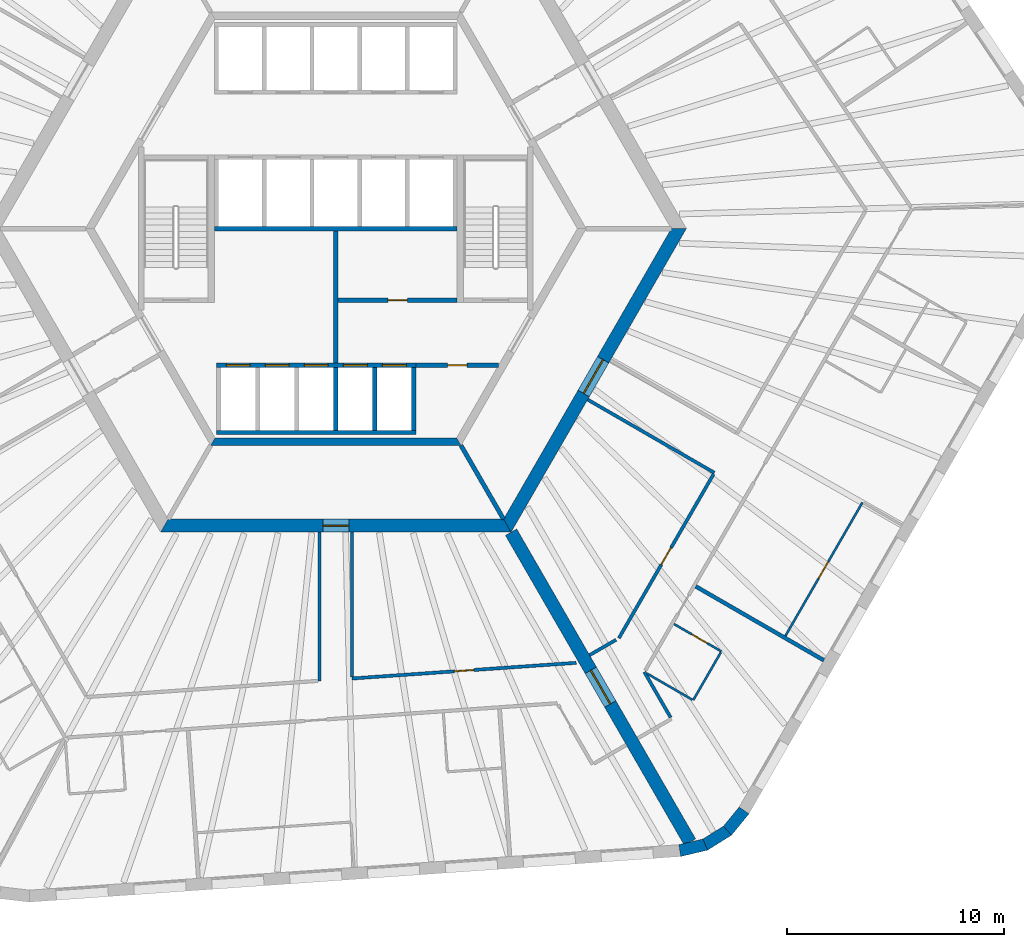
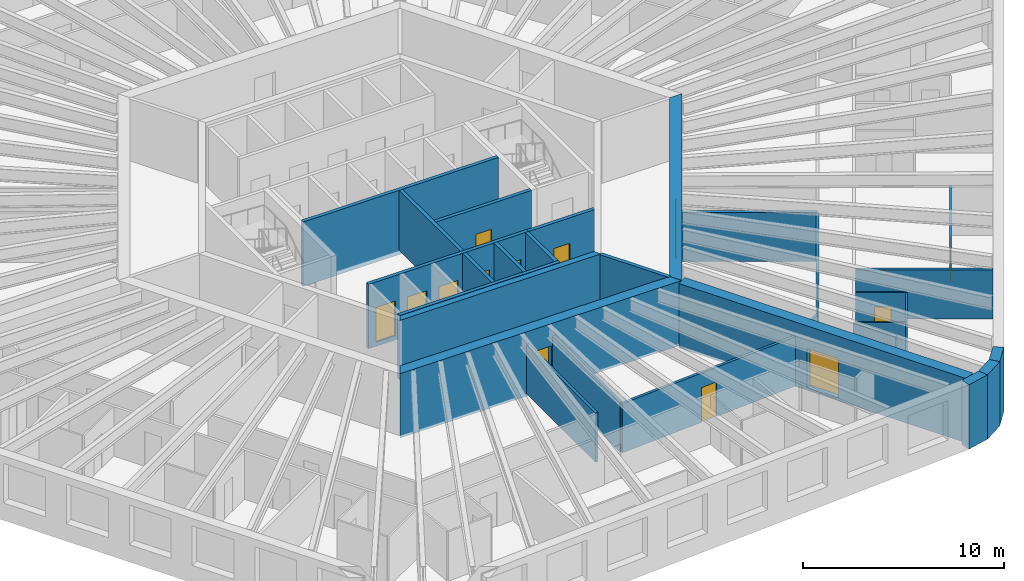
# One storey, part 5 of 12: 29 walls, 14 doors, 14 openings.
"""IFC4 building model written with IfcOpenShell, lengths in metres."""

from ifc_helpers import new_model, si_unit, direction, frame, frame_2d, origin, place, context, subcontext, project, spatial, polyline, rectangle, outline, extrude, material, layer, layer_set, type_object, element, fill, save


model = new_model("IFC4")

# Units and contexts
model_context = context("Model", 3, precision=1e-05, world=origin(), true_north=direction((0.0, 1.0)))
body_context = subcontext(model_context, "Body", "Model", "MODEL_VIEW")
ifc_project = project(units=[si_unit("LENGTHUNIT", "METRE"), si_unit("AREAUNIT", "SQUARE_METRE"), si_unit("VOLUMEUNIT", "CUBIC_METRE"), si_unit("PLANEANGLEUNIT", "RADIAN"), si_unit("MASSUNIT", "GRAM", prefix="KILO")], contexts=[model_context])

# Site, building, storey
site_placement = place(None, origin())
site = spatial("IfcSite", under=ifc_project, at=site_placement, CompositionType="ELEMENT")
building_placement = place(site_placement, origin())
building = spatial("IfcBuilding", under=site, at=building_placement, Name="Tarnside Tower", CompositionType="ELEMENT")
storey_placement = place(building_placement, frame((0.0, 0.0, 57.0)))
storey = spatial("IfcBuildingStorey", under=building, at=storey_placement, Name="L11", CompositionType="ELEMENT", Elevation=57.0)

# Wall, opening, door
ifc_material_1 = material(Name="Gypsum board partition on steel studs", Category="steel")
ifc_layer_1 = layer(ifc_material_1, 0.10009765625)
ifc_layer_set_1 = layer_set([ifc_layer_1], Name="Bathroom wall 100")
wall_type_1 = type_object("IfcWallType", Name="Bathroom wall 100", PredefinedType="PARTITIONING", material=ifc_layer_set_1)
wall_1_placement = place(storey_placement, frame((15.5966796875, -18.23583984375, 0.0), z_axis=(0.0, 0.0, 1.0), x_axis=(0.866039067339, -0.499976333282, 0.0)))
wall_1 = element("IfcWall", 1, at=wall_1_placement, inside=storey, type_object=wall_type_1, Name="Bathroom wall 02128", PredefinedType="PARTITIONING", context=body_context, shape_type="SweptSolid", body=[
    extrude(rectangle(XDim=2.52490234375, YDim=0.10009765625, at=frame_2d((1.262451171875, 0.0))), origin(), (0.0, 0.0, 1.0), 2.98779296875),
])
opening_1_placement = place(wall_1_placement, frame((0.955078125, 0.0, 0.0)))
opening_1 = element("IfcOpeningElement", 2, at=opening_1_placement, cuts=wall_1, Name="Opening D-B1", PredefinedType="OPENING", context=body_context, shape_type="SweptSolid", body=[
    extrude(rectangle(XDim=0.800048828125, YDim=2.10009765625, at=frame_2d((0.39990234375, 1.050048828125))), frame((0.0, 0.06005859375, 0.0), z_axis=(0.0, -1.0, 0.0), x_axis=(1.0, 0.0, 0.0)), (0.0, 0.0, 1.0), 0.1201171875),
])
ifc_material_2 = material(Name="Timber door leaf", Category="wood")
door_type_1 = type_object("IfcDoorType", Name="Bathroom door 800", OperationType="NOTDEFINED", PredefinedType="DOOR", material=ifc_material_2)
door_1_placement = place(opening_1_placement, origin())
door_1 = element("IfcDoor", 3, at=door_1_placement, inside=storey, type_object=door_type_1, Name="Bathroom door 02029", OperationType="SINGLE_SWING_LEFT", OverallHeight=2.10009765625, OverallWidth=0.800048828125, PredefinedType="DOOR", context=body_context, shape_type="SweptSolid", body=[
    extrude(rectangle(XDim=0.800048828125, YDim=2.10009765625, at=frame_2d((0.39990234375, 1.050048828125))), frame((0.0, 0.02490234375, 0.0), z_axis=(0.0, -1.0, 0.0), x_axis=(1.0, 0.0, 0.0)), (0.0, 0.0, 1.0), 0.050048828125),
])
fill(opening_1, door_1)

# Walls
wall_2_placement = place(storey_placement, frame((17.75830078125, -19.541748046875, 0.0), z_axis=(0.0, 0.0, 1.0), x_axis=(-0.499990435942, -0.866030925526, 0.0)))
element("IfcWall", 4, at=wall_2_placement, inside=storey, type_object=wall_type_1, Name="Bathroom wall 02129", PredefinedType="PARTITIONING", context=body_context, shape_type="SweptSolid", body=[
    extrude(rectangle(XDim=2.5498046875, YDim=0.10009765625, at=frame_2d((1.27490234375, 0.0))), origin(), (0.0, 0.0, 1.0), 2.98779296875),
])
wall_3_placement = place(storey_placement, frame((16.43994140625, -21.72509765625, 0.0), z_axis=(0.0, 0.0, 1.0), x_axis=(-0.865980596518, 0.500077600433, 0.0)))
element("IfcWall", 5, at=wall_3_placement, inside=storey, type_object=wall_type_1, Name="Bathroom wall 02130", PredefinedType="PARTITIONING", context=body_context, shape_type="SweptSolid", body=[
    extrude(rectangle(XDim=2.39990234375, YDim=0.10009765625, at=frame_2d((1.199951171875, 0.0))), origin(), (0.0, 0.0, 1.0), 2.98779296875),
])
ifc_material_3 = material(Name="Concrete C50/60", Category="concrete")
ifc_layer_2 = layer(ifc_material_3, 0.35009765625)
ifc_layer_set_2 = layer_set([ifc_layer_2], Name="Core block wall 350 C50/60")
wall_type_2 = type_object("IfcWallType", Name="Core block wall 350 C50/60", PredefinedType="SHEAR", material=ifc_layer_set_2)
wall_4_placement = place(storey_placement, frame((-5.672607421875, -9.824951171875, -0.14990234375), z_axis=(0.0, 0.0, 1.0), x_axis=(1.0, 0.0, 0.0)))
element("IfcWall", 6, at=wall_4_placement, inside=storey, type_object=wall_type_2, Name="L11 core block wall face 4", PredefinedType="SHEAR", context=body_context, shape_type="SweptSolid", body=[
    extrude(outline(polyline([(-0.10107421875, -0.175048828125), (11.4462890625, -0.175048828125), (11.244140625, 0.175048828125), (0.10107421875, 0.175048828125), (-0.10107421875, -0.175048828125)])), origin(), (0.0, 0.0, 1.0), 3.89990234375),
])

# Wall, opening, door
ifc_material_4 = material(Name="Concrete C40/50", Category="concrete")
ifc_layer_3 = layer(ifc_material_4, 0.199951171875)
ifc_layer_set_3 = layer_set([ifc_layer_3], Name="Core room partition 200 C40/50")
wall_type_3 = type_object("IfcWallType", Name="Core room partition 200 C40/50", PredefinedType="PARTITIONING", material=ifc_layer_set_3)
wall_5_placement = place(storey_placement, frame((0.10009765625, -3.300048828125, 0.0), z_axis=(0.0, 0.0, 1.0), x_axis=(1.0, 0.0, 0.0)))
wall_5 = element("IfcWall", 7, at=wall_5_placement, inside=storey, type_object=wall_type_3, Name="L11 core partition R3S1", PredefinedType="PARTITIONING", context=body_context, shape_type="SweptSolid", body=[
    extrude(rectangle(XDim=5.5, YDim=0.199951171875, at=frame_2d((2.75, 0.0))), origin(), (0.0, 0.0, 1.0), 3.64990234375),
])
opening_2_placement = place(wall_5_placement, frame((2.300048828125, 0.0, 0.0)))
opening_2 = element("IfcOpeningElement", 8, at=opening_2_placement, cuts=wall_5, Name="Opening CD-room", PredefinedType="OPENING", context=body_context, shape_type="SweptSolid", body=[
    extrude(rectangle(XDim=0.89990234375, YDim=2.10009765625, at=frame_2d((0.449951171875, 1.050048828125))), frame((0.0, 0.10986328125, 0.0), z_axis=(0.0, -1.0, 0.0), x_axis=(1.0, 0.0, 0.0)), (0.0, 0.0, 1.0), 0.219970703125),
])
ifc_material_5 = material(Name="Steel fire door", Category="steel")
door_type_2 = type_object("IfcDoorType", Name="Room door FD60 900x2100", OperationType="NOTDEFINED", PredefinedType="DOOR", material=ifc_material_5)
door_2_placement = place(opening_2_placement, origin())
door_2 = element("IfcDoor", 9, at=door_2_placement, inside=storey, type_object=door_type_2, Name="L11 core room door SR1", OperationType="SINGLE_SWING_LEFT", OverallHeight=2.10009765625, OverallWidth=0.89990234375, PredefinedType="DOOR", context=body_context, shape_type="SweptSolid", body=[
    extrude(rectangle(XDim=0.89990234375, YDim=2.10009765625, at=frame_2d((0.449951171875, 1.050048828125))), frame((0.0, 0.02490234375, 0.0), z_axis=(0.0, -1.0, 0.0), x_axis=(1.0, 0.0, 0.0)), (0.0, 0.0, 1.0), 0.050048828125),
])
fill(opening_2, door_2)

# Wall
wall_6_placement = place(storey_placement, frame((0.0, -6.199951171875, 0.0), z_axis=(0.0, 0.0, 1.0), x_axis=(0.0, 1.0, 0.0)))
element("IfcWall", 10, at=wall_6_placement, inside=storey, type_object=wall_type_3, Name="L11 core partition X0", PredefinedType="PARTITIONING", context=body_context, shape_type="SweptSolid", body=[
    extrude(rectangle(XDim=6.099853515625, YDim=0.199951171875, at=frame_2d((3.0498046875, 0.0))), origin(), (0.0, 0.0, 1.0), 3.64990234375),
])

# Wall, opening, door
wall_7_placement = place(storey_placement, frame((3.699951171875, -6.300048828125, 0.0), z_axis=(0.0, 0.0, 1.0), x_axis=(1.0, 0.0, 0.0)))
wall_7 = element("IfcWall", 11, at=wall_7_placement, inside=storey, type_object=wall_type_3, Name="L11 core partition R4X", PredefinedType="PARTITIONING", context=body_context, shape_type="SweptSolid", body=[
    extrude(rectangle(XDim=3.8056640625, YDim=0.199951171875, at=frame_2d((1.90283203125, 0.0))), origin(), (0.0, 0.0, 1.0), 3.64990234375),
])
opening_3_placement = place(wall_7_placement, frame((1.452880859375, 0.0, 0.0)))
opening_3 = element("IfcOpeningElement", 12, at=opening_3_placement, cuts=wall_7, Name="Opening CD-room", PredefinedType="OPENING", context=body_context, shape_type="SweptSolid", body=[
    extrude(rectangle(XDim=0.89990234375, YDim=2.10009765625, at=frame_2d((0.449951171875, 1.050048828125))), frame((0.0, 0.10986328125, 0.0), z_axis=(0.0, -1.0, 0.0), x_axis=(1.0, 0.0, 0.0)), (0.0, 0.0, 1.0), 0.219970703125),
])
door_3_placement = place(opening_3_placement, origin())
door_3 = element("IfcDoor", 13, at=door_3_placement, inside=storey, type_object=door_type_2, Name="L11 core room door RX", OperationType="SINGLE_SWING_LEFT", OverallHeight=2.10009765625, OverallWidth=0.89990234375, PredefinedType="DOOR", context=body_context, shape_type="SweptSolid", body=[
    extrude(rectangle(XDim=0.89990234375, YDim=2.10009765625, at=frame_2d((0.449951171875, 1.050048828125))), frame((0.0, 0.02490234375, 0.0), z_axis=(0.0, -1.0, 0.0), x_axis=(1.0, 0.0, 0.0)), (0.0, 0.0, 1.0), 0.050048828125),
])
fill(opening_3, door_3)

ifc_material_6 = material(Name="Concrete C80/95", Category="concrete")
ifc_layer_4 = layer(ifc_material_6, 0.60009765625)
ifc_layer_set_4 = layer_set([ifc_layer_4], Name="Core wall Z1 600 C80/95")
wall_type_4 = type_object("IfcWallType", Name="Core wall Z1 600 C80/95", PredefinedType="SHEAR", material=ifc_layer_set_4)
wall_8_placement = place(storey_placement, frame((-7.90966796875, -13.699951171875, -0.14990234375), z_axis=(0.0, 0.0, 1.0), x_axis=(1.0, 0.0, 0.0)))
wall_8 = element("IfcWall", 14, at=wall_8_placement, inside=storey, type_object=wall_type_4, Name="L11 core wall face 4", PredefinedType="SHEAR", context=body_context, shape_type="SweptSolid", body=[
    extrude(outline(polyline([(-0.17333984375, -0.300048828125), (15.99267578125, -0.300048828125), (15.64599609375, 0.300048828125), (0.17333984375, 0.300048828125), (-0.17333984375, -0.300048828125)])), origin(), (0.0, 0.0, 1.0), 3.89990234375),
])
opening_4_placement = place(wall_8_placement, frame((7.309814453125, 0.0, 0.14990234375)))
opening_4 = element("IfcOpeningElement", 15, at=opening_4_placement, cuts=wall_8, Name="Opening CD-RSR", PredefinedType="OPENING", context=body_context, shape_type="SweptSolid", body=[
    extrude(rectangle(XDim=1.199951171875, YDim=2.39990234375, at=frame_2d((0.60009765625, 1.199951171875))), frame((0.0, 0.31005859375, 0.0), z_axis=(0.0, -1.0, 0.0), x_axis=(1.0, 0.0, 0.0)), (0.0, 0.0, 1.0), 0.6201171875),
])
door_type_3 = type_object("IfcDoorType", Name="Riser door FD60 1200x2400", OperationType="NOTDEFINED", PredefinedType="DOOR", material=ifc_material_5)
door_4_placement = place(opening_4_placement, origin())
door_4 = element("IfcDoor", 16, at=door_4_placement, inside=storey, type_object=door_type_3, Name="L11 core door S6", OperationType="SINGLE_SWING_LEFT", OverallHeight=2.39990234375, OverallWidth=1.199951171875, PredefinedType="DOOR", context=body_context, shape_type="SweptSolid", body=[
    extrude(rectangle(XDim=1.199951171875, YDim=2.39990234375, at=frame_2d((0.60009765625, 1.199951171875))), frame((0.0, 0.02490234375, 0.0), z_axis=(0.0, -1.0, 0.0), x_axis=(1.0, 0.0, 0.0)), (0.0, 0.0, 1.0), 0.050048828125),
])
fill(opening_4, door_4)

wall_9_placement = place(storey_placement, frame((7.90966796875, -13.699951171875, -0.14990234375), z_axis=(0.0, 0.0, 1.0), x_axis=(0.499999880136, 0.866025472988, 0.0)))
wall_9 = element("IfcWall", 17, at=wall_9_placement, inside=storey, type_object=wall_type_4, Name="L11 core wall face 5", PredefinedType="SHEAR", context=body_context, shape_type="SweptSolid", body=[
    extrude(outline(polyline([(-0.17333984375, -0.300048828125), (15.99267578125, -0.300048828125), (15.64599609375, 0.300048828125), (0.17333984375, 0.300048828125), (-0.17333984375, -0.300048828125)])), origin(), (0.0, 0.0, 1.0), 3.89990234375),
])
opening_5_placement = place(wall_9_placement, frame((7.03857421875, 0.0, 0.14990234375)))
opening_5 = element("IfcOpeningElement", 18, at=opening_5_placement, cuts=wall_9, Name="Opening CD-FFL", PredefinedType="OPENING", context=body_context, shape_type="SweptSolid", body=[
    extrude(rectangle(XDim=1.800048828125, YDim=2.39990234375, at=frame_2d((0.89990234375, 1.199951171875))), frame((0.0, 0.31005859375, 0.0), z_axis=(0.0, -1.0, 0.0), x_axis=(1.0, 0.0, 0.0)), (0.0, 0.0, 1.0), 0.6201171875),
])
door_type_4 = type_object("IfcDoorType", Name="Firefighting lobby double door FD60S 1800x2400", OperationType="NOTDEFINED", PredefinedType="DOOR", material=ifc_material_5)
door_5_placement = place(opening_5_placement, origin())
door_5 = element("IfcDoor", 19, at=door_5_placement, inside=storey, type_object=door_type_4, Name="L11 core door P4", OperationType="DOUBLE_DOOR_SINGLE_SWING", OverallHeight=2.39990234375, OverallWidth=1.800048828125, PredefinedType="DOOR", context=body_context, shape_type="SweptSolid", body=[
    extrude(rectangle(XDim=1.800048828125, YDim=2.39990234375, at=frame_2d((0.89990234375, 1.199951171875))), frame((0.0, 0.02490234375, 0.0), z_axis=(0.0, -1.0, 0.0), x_axis=(1.0, 0.0, 0.0)), (0.0, 0.0, 1.0), 0.050048828125),
])
fill(opening_5, door_5)

wall_10_placement = place(storey_placement, frame((8.0830078125, -14.0, -0.14990234375), z_axis=(0.0, 0.0, 1.0), x_axis=(0.499997680643, -0.866026742862, 0.0)))
wall_10 = element("IfcWall", 20, at=wall_10_placement, inside=storey, type_object=wall_type_4, Name="L11 spine wall 3", PredefinedType="SHEAR", context=body_context, shape_type="SweptSolid", body=[
    extrude(rectangle(XDim=16.5087890625, YDim=0.60009765625, at=frame_2d((8.25439453125, 0.0))), origin(), (0.0, 0.0, 1.0), 3.89990234375),
])
opening_6_placement = place(wall_10_placement, frame((7.3544921875, 0.0, 0.14990234375)))
opening_6 = element("IfcOpeningElement", 21, at=opening_6_placement, cuts=wall_10, Name="Opening CD-SPN", PredefinedType="OPENING", context=body_context, shape_type="SweptSolid", body=[
    extrude(rectangle(XDim=1.800048828125, YDim=2.39990234375, at=frame_2d((0.89990234375, 1.199951171875))), frame((0.0, 0.31005859375, 0.0), z_axis=(0.0, -1.0, 0.0), x_axis=(1.0, 0.0, 0.0)), (0.0, 0.0, 1.0), 0.6201171875),
])
door_type_5 = type_object("IfcDoorType", Name="Spine passage double door FD60 1800x2400", OperationType="NOTDEFINED", PredefinedType="DOOR", material=ifc_material_5)
door_6_placement = place(opening_6_placement, origin())
door_6 = element("IfcDoor", 22, at=door_6_placement, inside=storey, type_object=door_type_5, Name="L11 spine passage door 3", OperationType="DOUBLE_DOOR_SINGLE_SWING", OverallHeight=2.39990234375, OverallWidth=1.800048828125, PredefinedType="DOOR", context=body_context, shape_type="SweptSolid", body=[
    extrude(rectangle(XDim=1.800048828125, YDim=2.39990234375, at=frame_2d((0.89990234375, 1.199951171875))), frame((0.0, 0.02490234375, 0.0), z_axis=(0.0, -1.0, 0.0), x_axis=(1.0, 0.0, 0.0)), (0.0, 0.0, 1.0), 0.050048828125),
])
fill(opening_6, door_6)

# Wall
ifc_layer_5 = layer(ifc_material_1, 0.14990234375)
ifc_layer_set_5 = layer_set([ifc_layer_5], Name="Corridor wall 150 EI 60")
wall_type_5 = type_object("IfcWallType", Name="Corridor wall 150 EI 60", PredefinedType="PARTITIONING", material=ifc_layer_set_5)
wall_11_placement = place(storey_placement, frame((-0.75, -14.0, 0.0), z_axis=(0.0, 0.0, 1.0), x_axis=(0.0, -1.0, 0.0)))
element("IfcWall", 23, at=wall_11_placement, inside=storey, type_object=wall_type_5, Name="Corridor wall 02042", PredefinedType="PARTITIONING", context=body_context, shape_type="SweptSolid", body=[
    extrude(rectangle(XDim=6.85302734375, YDim=0.14990234375, at=frame_2d((3.426513671875, 0.0))), origin(), (0.0, 0.0, 1.0), 2.98779296875),
])

# Wall, opening, door
wall_12_placement = place(storey_placement, frame((11.088134765625, -20.025390625, 0.0), z_axis=(0.0, 0.0, 1.0), x_axis=(-0.997564133621, -0.069755281607, 0.0)))
wall_12 = element("IfcWall", 24, at=wall_12_placement, inside=storey, type_object=wall_type_5, Name="Corridor wall 02046", PredefinedType="PARTITIONING", context=body_context, shape_type="SweptSolid", body=[
    extrude(rectangle(XDim=10.36328125, YDim=0.14990234375, at=frame_2d((5.181640625, 0.0))), origin(), (0.0, 0.0, 1.0), 2.98779296875),
])
opening_7_placement = place(wall_12_placement, frame((4.731689453125, 0.0, 0.0)))
opening_7 = element("IfcOpeningElement", 25, at=opening_7_placement, cuts=wall_12, Name="Opening D-S1", PredefinedType="OPENING", context=body_context, shape_type="SweptSolid", body=[
    extrude(rectangle(XDim=0.89990234375, YDim=2.10009765625, at=frame_2d((0.449951171875, 1.050048828125))), frame((0.0, 0.0849609375, 0.0), z_axis=(0.0, -1.0, 0.0), x_axis=(1.0, 0.0, 0.0)), (0.0, 0.0, 1.0), 0.169921875),
])
door_type_6 = type_object("IfcDoorType", Name="Service room door 900 FD30S", OperationType="NOTDEFINED", PredefinedType="DOOR", material=ifc_material_2)
door_7_placement = place(opening_7_placement, origin())
door_7 = element("IfcDoor", 26, at=door_7_placement, inside=storey, type_object=door_type_6, Name="Service door 02046", OperationType="SINGLE_SWING_LEFT", OverallHeight=2.10009765625, OverallWidth=0.89990234375, PredefinedType="DOOR", context=body_context, shape_type="SweptSolid", body=[
    extrude(rectangle(XDim=0.89990234375, YDim=2.10009765625, at=frame_2d((0.449951171875, 1.050048828125))), frame((0.0, 0.02490234375, 0.0), z_axis=(0.0, -1.0, 0.0), x_axis=(1.0, 0.0, 0.0)), (0.0, 0.0, 1.0), 0.050048828125),
])
fill(opening_7, door_7)

# Walls
wall_13_placement = place(storey_placement, frame((0.75, -20.673095703125, 0.0), z_axis=(0.0, 0.0, 1.0), x_axis=(0.0, 1.0, 0.0)))
element("IfcWall", 27, at=wall_13_placement, inside=storey, type_object=wall_type_5, Name="Corridor wall 02047", PredefinedType="PARTITIONING", context=body_context, shape_type="SweptSolid", body=[
    extrude(rectangle(XDim=6.673095703125, YDim=0.14990234375, at=frame_2d((3.33642578125, 0.0))), origin(), (0.0, 0.0, 1.0), 2.98779296875),
])
wall_14_placement = place(storey_placement, frame((15.44140625, -22.545166015625, 0.0), z_axis=(0.0, 0.0, 1.0), x_axis=(-0.500013622142, 0.866017538894, 0.0)))
element("IfcWall", 28, at=wall_14_placement, inside=storey, type_object=wall_type_5, Name="Corridor wall 02049", PredefinedType="PARTITIONING", context=body_context, shape_type="SweptSolid", body=[
    extrude(rectangle(XDim=2.41943359375, YDim=0.14990234375, at=frame_2d((1.209716796875, 0.0))), origin(), (0.0, 0.0, 1.0), 2.98779296875),
])
wall_15_placement = place(storey_placement, frame((11.61376953125, -7.88427734375, 0.0), z_axis=(0.0, 0.0, 1.0), x_axis=(0.866026575979, -0.499997969693, 0.0)))
element("IfcWall", 29, at=wall_15_placement, inside=storey, type_object=wall_type_5, Name="Corridor wall 02067", PredefinedType="PARTITIONING", context=body_context, shape_type="SweptSolid", body=[
    extrude(rectangle(XDim=6.75, YDim=0.14990234375, at=frame_2d((3.375, 0.0))), origin(), (0.0, 0.0, 1.0), 2.98779296875),
])

# Wall, opening, door
wall_16_placement = place(storey_placement, frame((17.421875, -11.32421875, 0.0), z_axis=(0.0, 0.0, 1.0), x_axis=(-0.499994979726, -0.866028302222, 0.0)))
wall_16 = element("IfcWall", 30, at=wall_16_placement, inside=storey, type_object=wall_type_5, Name="Corridor wall 02068", PredefinedType="PARTITIONING", context=body_context, shape_type="SweptSolid", body=[
    extrude(rectangle(XDim=8.73681640625, YDim=0.14990234375, at=frame_2d((4.368408203125, 0.0))), origin(), (0.0, 0.0, 1.0), 2.98779296875),
])
opening_8_placement = place(wall_16_placement, frame((3.91845703125, 0.0, 0.0)))
opening_8 = element("IfcOpeningElement", 31, at=opening_8_placement, cuts=wall_16, Name="Opening D-S1", PredefinedType="OPENING", context=body_context, shape_type="SweptSolid", body=[
    extrude(rectangle(XDim=0.89990234375, YDim=2.10009765625, at=frame_2d((0.449951171875, 1.050048828125))), frame((0.0, 0.0849609375, 0.0), z_axis=(0.0, -1.0, 0.0), x_axis=(1.0, 0.0, 0.0)), (0.0, 0.0, 1.0), 0.169921875),
])
door_8_placement = place(opening_8_placement, origin())
door_8 = element("IfcDoor", 32, at=door_8_placement, inside=storey, type_object=door_type_6, Name="Service door 02048", OperationType="SINGLE_SWING_LEFT", OverallHeight=2.10009765625, OverallWidth=0.89990234375, PredefinedType="DOOR", context=body_context, shape_type="SweptSolid", body=[
    extrude(rectangle(XDim=0.89990234375, YDim=2.10009765625, at=frame_2d((0.449951171875, 1.050048828125))), frame((0.0, 0.02490234375, 0.0), z_axis=(0.0, -1.0, 0.0), x_axis=(1.0, 0.0, 0.0)), (0.0, 0.0, 1.0), 0.050048828125),
])
fill(opening_8, door_8)

# Walls
wall_17_placement = place(storey_placement, frame((12.923583984375, -18.965576171875, 0.0), z_axis=(0.0, 0.0, 1.0), x_axis=(-0.866038455972, -0.499977392266, 0.0)))
element("IfcWall", 33, at=wall_17_placement, inside=storey, type_object=wall_type_5, Name="Corridor wall 02069", PredefinedType="PARTITIONING", context=body_context, shape_type="SweptSolid", body=[
    extrude(rectangle(XDim=1.4091796875, YDim=0.14990234375, at=frame_2d((0.70458984375, 0.0))), origin(), (0.0, 0.0, 1.0), 2.98779296875),
])
ifc_layer_6 = layer(ifc_material_1, 0.179931640625)
ifc_layer_set_6 = layer_set([ifc_layer_6], Name="Demising wall 180 EI 60")
wall_type_6 = type_object("IfcWallType", Name="Demising wall 180 EI 60", PredefinedType="PARTITIONING", material=ifc_layer_set_6)
wall_18_placement = place(storey_placement, frame((22.510009765625, -19.91162109375, 0.0), z_axis=(0.0, 0.0, 1.0), x_axis=(-0.866019982719, 0.500009389444, 0.0)))
element("IfcWall", 34, at=wall_18_placement, inside=storey, type_object=wall_type_6, Name="Demising wall 02131", PredefinedType="PARTITIONING", context=body_context, shape_type="SweptSolid", body=[
    extrude(rectangle(XDim=6.824951171875, YDim=0.179931640625, at=frame_2d((3.41259765625, 0.0))), origin(), (0.0, 0.0, 1.0), 2.98779296875),
])
ifc_layer_7 = layer(ifc_material_4, 0.199951171875)
ifc_layer_set_7 = layer_set([ifc_layer_7], Name="Lift shaft wall 200 C40/50")
wall_type_7 = type_object("IfcWallType", Name="Lift shaft wall 200 C40/50", PredefinedType="SHEAR", material=ifc_layer_set_7)
wall_19_placement = place(storey_placement, frame((-5.60009765625, 0.0, -0.25), z_axis=(0.0, 0.0, 1.0), x_axis=(1.0, 0.0, 0.0)))
element("IfcWall", 35, at=wall_19_placement, inside=storey, type_object=wall_type_7, Name="L11 lift shaft back wall R2", PredefinedType="SHEAR", context=body_context, shape_type="SweptSolid", body=[
    extrude(rectangle(XDim=11.2001953125, YDim=0.199951171875, at=frame_2d((5.60009765625, 0.0))), origin(), (0.0, 0.0, 1.0), 3.89990234375),
])

# Wall, openings, doors
wall_20_placement = place(storey_placement, frame((-5.5, -6.300048828125, -0.25), z_axis=(0.0, 0.0, 1.0), x_axis=(1.0, 0.0, 0.0)))
wall_20 = element("IfcWall", 36, at=wall_20_placement, inside=storey, type_object=wall_type_7, Name="L11 lift shaft front wall R4", PredefinedType="SHEAR", context=body_context, shape_type="SweptSolid", body=[
    extrude(rectangle(XDim=9.199951171875, YDim=0.199951171875, at=frame_2d((4.60009765625, 0.0))), origin(), (0.0, 0.0, 1.0), 3.89990234375),
])
opening_9_placement = place(wall_20_placement, frame((0.449951171875, 0.0, 0.25)))
opening_9 = element("IfcOpeningElement", 37, at=opening_9_placement, cuts=wall_20, Name="Opening LDF", PredefinedType="OPENING", context=body_context, shape_type="SweptSolid", body=[
    extrude(rectangle(XDim=1.10009765625, YDim=2.10009765625, at=frame_2d((0.550048828125, 1.050048828125))), frame((0.0, 0.10986328125, 0.0), z_axis=(0.0, -1.0, 0.0), x_axis=(1.0, 0.0, 0.0)), (0.0, 0.0, 1.0), 0.219970703125),
])
opening_10_placement = place(wall_20_placement, frame((2.25, 0.0, 0.25)))
opening_10 = element("IfcOpeningElement", 38, at=opening_10_placement, cuts=wall_20, Name="Opening LDF", PredefinedType="OPENING", context=body_context, shape_type="SweptSolid", body=[
    extrude(rectangle(XDim=1.10009765625, YDim=2.10009765625, at=frame_2d((0.550048828125, 1.050048828125))), frame((0.0, 0.10986328125, 0.0), z_axis=(0.0, -1.0, 0.0), x_axis=(1.0, 0.0, 0.0)), (0.0, 0.0, 1.0), 0.219970703125),
])
opening_11_placement = place(wall_20_placement, frame((4.050048828125, 0.0, 0.25)))
opening_11 = element("IfcOpeningElement", 39, at=opening_11_placement, cuts=wall_20, Name="Opening LDF", PredefinedType="OPENING", context=body_context, shape_type="SweptSolid", body=[
    extrude(rectangle(XDim=1.10009765625, YDim=2.10009765625, at=frame_2d((0.550048828125, 1.050048828125))), frame((0.0, 0.10986328125, 0.0), z_axis=(0.0, -1.0, 0.0), x_axis=(1.0, 0.0, 0.0)), (0.0, 0.0, 1.0), 0.219970703125),
])
opening_12_placement = place(wall_20_placement, frame((5.85009765625, 0.0, 0.25)))
opening_12 = element("IfcOpeningElement", 40, at=opening_12_placement, cuts=wall_20, Name="Opening LDF", PredefinedType="OPENING", context=body_context, shape_type="SweptSolid", body=[
    extrude(rectangle(XDim=1.10009765625, YDim=2.10009765625, at=frame_2d((0.550048828125, 1.050048828125))), frame((0.0, 0.10986328125, 0.0), z_axis=(0.0, -1.0, 0.0), x_axis=(1.0, 0.0, 0.0)), (0.0, 0.0, 1.0), 0.219970703125),
])
opening_13_placement = place(wall_20_placement, frame((7.64990234375, 0.0, 0.25)))
opening_13 = element("IfcOpeningElement", 41, at=opening_13_placement, cuts=wall_20, Name="Opening LDF", PredefinedType="OPENING", context=body_context, shape_type="SweptSolid", body=[
    extrude(rectangle(XDim=1.10009765625, YDim=2.10009765625, at=frame_2d((0.550048828125, 1.050048828125))), frame((0.0, 0.10986328125, 0.0), z_axis=(0.0, -1.0, 0.0), x_axis=(1.0, 0.0, 0.0)), (0.0, 0.0, 1.0), 0.219970703125),
])
ifc_material_7 = material(Name="Stainless steel", Category="steel")
door_type_7 = type_object("IfcDoorType", Name="Lift landing door 1100x2100 EI 120", OperationType="NOTDEFINED", PredefinedType="DOOR", material=ifc_material_7)
door_9_placement = place(opening_9_placement, origin())
door_9 = element("IfcDoor", 42, at=door_9_placement, inside=storey, type_object=door_type_7, Name="Firefighting lift 1 landing door L11", OperationType="SLIDING_TO_LEFT", OverallHeight=2.10009765625, OverallWidth=1.10009765625, PredefinedType="DOOR", context=body_context, shape_type="SweptSolid", body=[
    extrude(rectangle(XDim=1.10009765625, YDim=2.10009765625, at=frame_2d((0.550048828125, 1.050048828125))), frame((0.0, 0.02490234375, 0.0), z_axis=(0.0, -1.0, 0.0), x_axis=(1.0, 0.0, 0.0)), (0.0, 0.0, 1.0), 0.050048828125),
])
fill(opening_9, door_9)
door_10_placement = place(opening_10_placement, origin())
door_10 = element("IfcDoor", 43, at=door_10_placement, inside=storey, type_object=door_type_7, Name="Firefighting lift 2 landing door L11", OperationType="SLIDING_TO_LEFT", OverallHeight=2.10009765625, OverallWidth=1.10009765625, PredefinedType="DOOR", context=body_context, shape_type="SweptSolid", body=[
    extrude(rectangle(XDim=1.10009765625, YDim=2.10009765625, at=frame_2d((0.550048828125, 1.050048828125))), frame((0.0, 0.02490234375, 0.0), z_axis=(0.0, -1.0, 0.0), x_axis=(1.0, 0.0, 0.0)), (0.0, 0.0, 1.0), 0.050048828125),
])
fill(opening_10, door_10)
door_11_placement = place(opening_11_placement, origin())
door_11 = element("IfcDoor", 44, at=door_11_placement, inside=storey, type_object=door_type_7, Name="Firefighting lift 3 landing door L11", OperationType="SLIDING_TO_LEFT", OverallHeight=2.10009765625, OverallWidth=1.10009765625, PredefinedType="DOOR", context=body_context, shape_type="SweptSolid", body=[
    extrude(rectangle(XDim=1.10009765625, YDim=2.10009765625, at=frame_2d((0.550048828125, 1.050048828125))), frame((0.0, 0.02490234375, 0.0), z_axis=(0.0, -1.0, 0.0), x_axis=(1.0, 0.0, 0.0)), (0.0, 0.0, 1.0), 0.050048828125),
])
fill(opening_11, door_11)
door_12_placement = place(opening_12_placement, origin())
door_12 = element("IfcDoor", 45, at=door_12_placement, inside=storey, type_object=door_type_7, Name="Firefighting lift 4 landing door L11", OperationType="SLIDING_TO_LEFT", OverallHeight=2.10009765625, OverallWidth=1.10009765625, PredefinedType="DOOR", context=body_context, shape_type="SweptSolid", body=[
    extrude(rectangle(XDim=1.10009765625, YDim=2.10009765625, at=frame_2d((0.550048828125, 1.050048828125))), frame((0.0, 0.02490234375, 0.0), z_axis=(0.0, -1.0, 0.0), x_axis=(1.0, 0.0, 0.0)), (0.0, 0.0, 1.0), 0.050048828125),
])
fill(opening_12, door_12)
door_13_placement = place(opening_13_placement, origin())
door_13 = element("IfcDoor", 46, at=door_13_placement, inside=storey, type_object=door_type_7, Name="Firefighting lift 5 landing door L11", OperationType="SLIDING_TO_LEFT", OverallHeight=2.10009765625, OverallWidth=1.10009765625, PredefinedType="DOOR", context=body_context, shape_type="SweptSolid", body=[
    extrude(rectangle(XDim=1.10009765625, YDim=2.10009765625, at=frame_2d((0.550048828125, 1.050048828125))), frame((0.0, 0.02490234375, 0.0), z_axis=(0.0, -1.0, 0.0), x_axis=(1.0, 0.0, 0.0)), (0.0, 0.0, 1.0), 0.050048828125),
])
fill(opening_13, door_13)

# Walls
wall_21_placement = place(storey_placement, frame((-5.5, -9.39990234375, -0.25), z_axis=(0.0, 0.0, 1.0), x_axis=(1.0, 0.0, 0.0)))
element("IfcWall", 47, at=wall_21_placement, inside=storey, type_object=wall_type_7, Name="L11 lift shaft back wall R4", PredefinedType="SHEAR", context=body_context, shape_type="SweptSolid", body=[
    extrude(rectangle(XDim=9.199951171875, YDim=0.199951171875, at=frame_2d((4.60009765625, 0.0))), origin(), (0.0, 0.0, 1.0), 3.89990234375),
])
for number, where, z_axis, x_axis, name in (
    (48, (0.0, -9.300048828125, -0.25), (0.0, 0.0, 1.0), (0.0, 1.0, 0.0), "L11 lift shaft partition R44"),
    (49, (1.800048828125, -9.300048828125, -0.25), (0.0, 0.0, 1.0), (0.0, 1.0, 0.0), "L11 lift shaft partition R45"),
    (50, (3.60009765625, -9.300048828125, -0.25), (0.0, 0.0, 1.0), (0.0, 1.0, 0.0), "L11 lift shaft partition R46"),
):
    element("IfcWall", number, at=place(storey_placement, frame(where, z_axis=z_axis, x_axis=x_axis)), inside=storey, type_object=wall_type_7, Name=name, PredefinedType="SHEAR", context=body_context, shape_type="SweptSolid", body=[
        extrude(rectangle(XDim=2.900146484375, YDim=0.199951171875, at=frame_2d((1.4501953125, 0.0))), origin(), (0.0, 0.0, 1.0), 3.89990234375),
    ])
wall_22_placement = place(storey_placement, frame((5.7734375, -10.0, -0.14990234375), z_axis=(0.0, 0.0, 1.0), x_axis=(0.500038251005, -0.86600331843, 0.0)))
element("IfcWall", 51, at=wall_22_placement, inside=storey, type_object=wall_type_7, Name="L11 core partition AR300", PredefinedType="SHEAR", context=body_context, shape_type="SweptSolid", body=[
    extrude(rectangle(XDim=3.926025390625, YDim=0.199951171875, at=frame_2d((1.962890625, 0.0))), origin(), (0.0, 0.0, 1.0), 3.89990234375),
])

# Wall, opening, door
ifc_layer_8 = layer(ifc_material_1, 0.10009765625)
ifc_layer_set_8 = layer_set([ifc_layer_8], Name="Partition 100")
wall_type_8 = type_object("IfcWallType", Name="Partition 100", PredefinedType="PARTITIONING", material=ifc_layer_set_8)
wall_23_placement = place(storey_placement, frame((20.736328125, -18.78369140625, 0.0), z_axis=(0.0, 0.0, 1.0), x_axis=(0.499990956993, 0.866030624704, 0.0)))
wall_23 = element("IfcWall", 52, at=wall_23_placement, inside=storey, type_object=wall_type_8, Name="Partition wall 02135", PredefinedType="PARTITIONING", context=body_context, shape_type="SweptSolid", body=[
    extrude(rectangle(XDim=7.110107421875, YDim=0.10009765625, at=frame_2d((3.55517578125, 0.0))), origin(), (0.0, 0.0, 1.0), 2.98779296875),
])
opening_14_placement = place(wall_23_placement, frame((3.06005859375, 0.0, 0.0)))
opening_14 = element("IfcOpeningElement", 53, at=opening_14_placement, cuts=wall_23, Name="Opening D-I1", PredefinedType="OPENING", context=body_context, shape_type="SweptSolid", body=[
    extrude(rectangle(XDim=0.89990234375, YDim=2.10009765625, at=frame_2d((0.449951171875, 1.050048828125))), frame((0.0, 0.06005859375, 0.0), z_axis=(0.0, -1.0, 0.0), x_axis=(1.0, 0.0, 0.0)), (0.0, 0.0, 1.0), 0.1201171875),
])
door_type_8 = type_object("IfcDoorType", Name="Internal door 900", OperationType="NOTDEFINED", PredefinedType="DOOR", material=ifc_material_2)
door_14_placement = place(opening_14_placement, origin())
door_14 = element("IfcDoor", 54, at=door_14_placement, inside=storey, type_object=door_type_8, Name="Internal door 02032", OperationType="SINGLE_SWING_RIGHT", OverallHeight=2.10009765625, OverallWidth=0.89990234375, PredefinedType="DOOR", context=body_context, shape_type="SweptSolid", body=[
    extrude(rectangle(XDim=0.89990234375, YDim=2.10009765625, at=frame_2d((0.449951171875, 1.050048828125))), frame((0.0, 0.02490234375, 0.0), z_axis=(0.0, -1.0, 0.0), x_axis=(1.0, 0.0, 0.0)), (0.0, 0.0, 1.0), 0.050048828125),
])
fill(opening_14, door_14)

# Walls
ifc_material_8 = material(Name="Facing brick", Category="masonry")
ifc_layer_9 = layer(ifc_material_8, 0.10205078125)
ifc_material_9 = material(Name="Concrete C60/75 precast", Category="concrete")
ifc_layer_10 = layer(ifc_material_9, 0.347900390625)
ifc_material_10 = material(Name="Mineral wool insulation")
ifc_layer_11 = layer(ifc_material_10, 0.10009765625)
ifc_layer_set_9 = layer_set([ifc_layer_9, ifc_layer_10, ifc_layer_11], Name="Tube wall 550 brick faced")
wall_type_9 = type_object("IfcWallType", Name="Tube wall 550 brick faced", PredefinedType="SOLIDWALL", material=ifc_layer_set_9)
wall_24_placement = place(storey_placement, frame((15.8642578125, -28.688232421875, -0.14990234375), z_axis=(0.0, 0.0, 1.0), x_axis=(0.973063591128, 0.230536868247, 0.0)))
element("IfcWall", 55, at=wall_24_placement, inside=storey, type_object=wall_type_9, Name="Tube wall L11 F4 chord 13", PredefinedType="SOLIDWALL", context=body_context, shape_type="SweptSolid", body=[
    extrude(outline(polyline([(-0.0224609375, -0.27490234375), (1.25341796875, -0.27490234375), (1.1630859375, 0.27490234375), (0.0224609375, 0.27490234375), (-0.0224609375, -0.27490234375)])), origin(), (0.0, 0.0, 1.0), 3.89990234375),
])
wall_25_placement = place(storey_placement, frame((17.0400390625, -28.40966796875, -0.14990234375), z_axis=(0.0, 0.0, 1.0), x_axis=(0.847952888306, 0.530071598195, 0.0)))
element("IfcWall", 56, at=wall_25_placement, inside=storey, type_object=wall_type_9, Name="Tube wall L11 F4 chord 14", PredefinedType="SOLIDWALL", context=body_context, shape_type="SweptSolid", body=[
    extrude(outline(polyline([(-0.045166015625, -0.27490234375), (1.253173828125, -0.27490234375), (1.162841796875, 0.27490234375), (0.045166015625, 0.27490234375), (-0.045166015625, -0.27490234375)])), origin(), (0.0, 0.0, 1.0), 3.89990234375),
])
wall_26_placement = place(storey_placement, frame((18.064453125, -27.769287109375, -0.14990234375), z_axis=(0.0, 0.0, 1.0), x_axis=(0.633842757806, 0.773461930787, 0.0)))
element("IfcWall", 57, at=wall_26_placement, inside=storey, type_object=wall_type_9, Name="Tube wall L11 F4 chord 15", PredefinedType="SOLIDWALL", context=body_context, shape_type="SweptSolid", body=[
    extrude(outline(polyline([(-0.045166015625, -0.27490234375), (1.230712890625, -0.27490234375), (1.185791015625, 0.27490234375), (0.045166015625, 0.27490234375), (-0.045166015625, -0.27490234375)])), origin(), (0.0, 0.0, 1.0), 3.89990234375),
])

save(model, "model.ifc")
